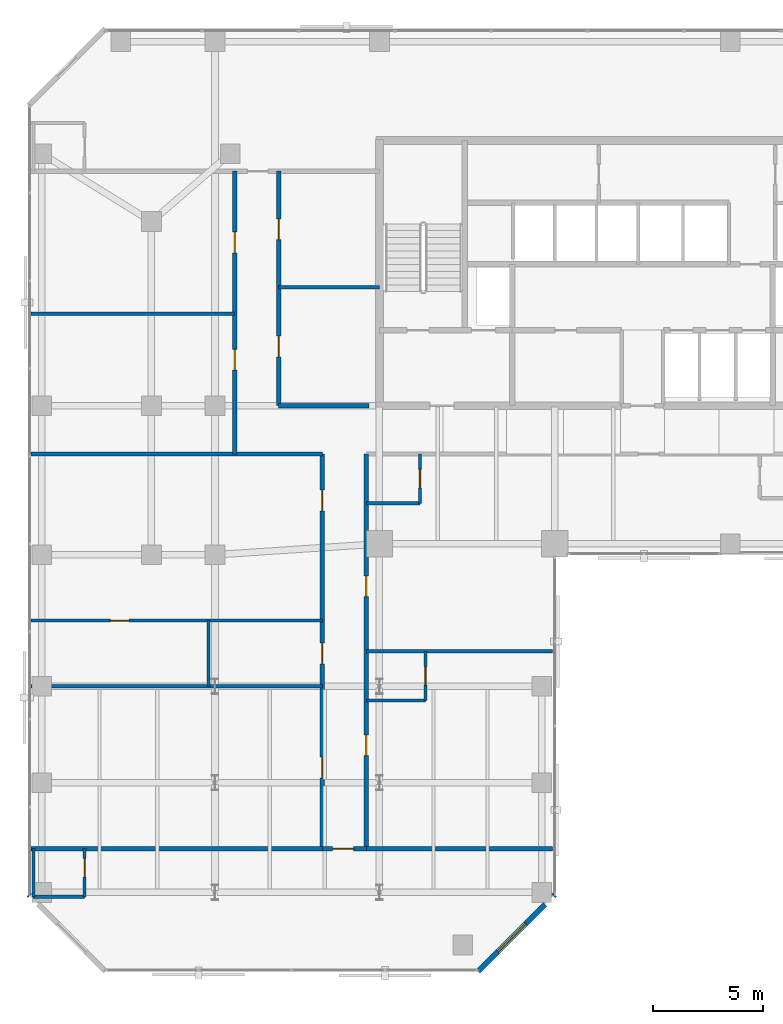
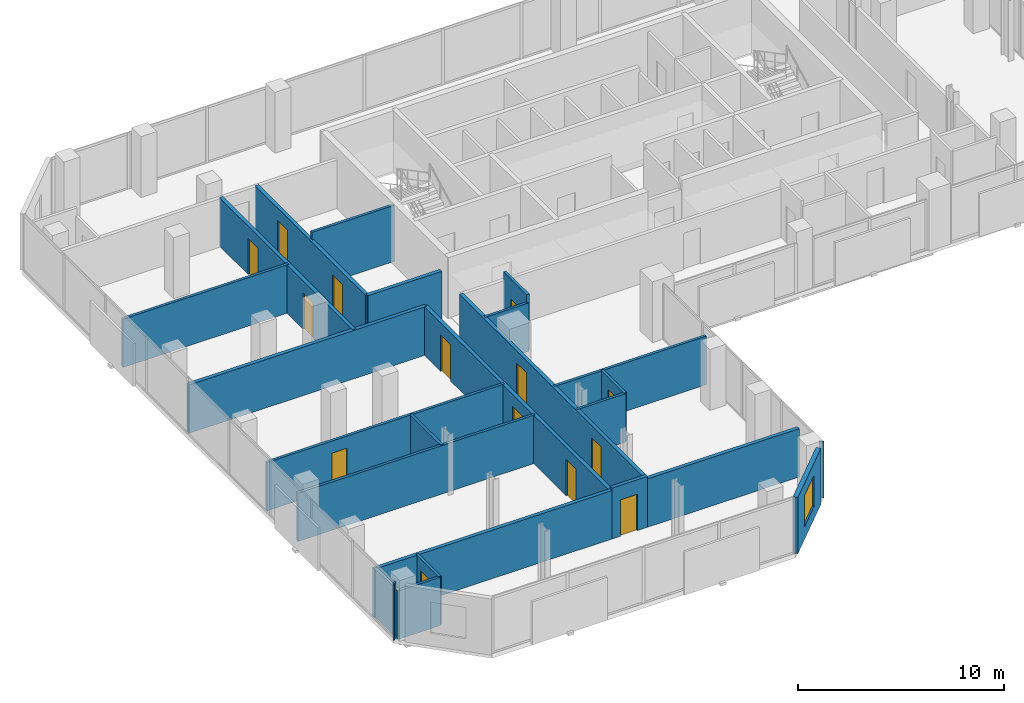
# One storey, part 28 of 33: 25 walls, 14 doors, 1 window, 15 openings.
"""IFC4 building model written with IfcOpenShell, lengths in metres."""

import ifcopenshell
import ifcopenshell.guid

model = None  # the IFC model being written
_history = None  # IfcOwnerHistory: only IFC2X3 demands one
_inside = {}  # id of a spatial element -> (the spatial element, [elements in it])
_under = {}  # id of a project, library or spatial element -> (it, [spatial elements below it])
_declared = {}  # id of a project -> (the project, [libraries it declares])
_typed = {}  # id of a type object -> (the type object, [elements of that type])
_made_of = {}  # id of a material, layer set ... -> (it, [elements and type objects made of it])


def new_model(schema):
    """Start an empty IFC model of exactly this schema.

    Asked for "IFC4X3", IfcOpenShell would pick the latest addendum, in which some entities
    have other attributes; the version numbers below select the first issue.
    IFC2X3 requires an IfcOwnerHistory on every rooted entity: one is made here for all.
    """
    global model, _history
    if schema == "IFC4X3":
        model = ifcopenshell.file(schema_version=(4, 3, 0, 0))
    else:
        model = ifcopenshell.file(schema=schema)
    _inside.clear()
    _under.clear()
    _declared.clear()
    _typed.clear()
    _made_of.clear()
    _history = None
    if model.schema == "IFC2X3":
        org = make("IfcOrganization", Name="unknown")
        user = make(
            "IfcPersonAndOrganization",
            ThePerson=make("IfcPerson", FamilyName="unknown"),
            TheOrganization=org,
        )
        app = make(
            "IfcApplication",
            ApplicationDeveloper=org,
            Version="unknown",
            ApplicationFullName="unknown",
            ApplicationIdentifier="unknown",
        )
        _history = make(
            "IfcOwnerHistory",
            OwningUser=user,
            OwningApplication=app,
            ChangeAction="ADDED",
            CreationDate=0,
        )
    return model


def make(cls, **values):
    """One entity of the class cls with the attributes given. An attribute that is None is left unset."""
    return model.create_entity(
        cls, **{name: value for name, value in values.items() if value is not None}
    )


def rooted(cls, **values):
    """An entity with a GlobalId (a new one), such as an element, a storey or a relation."""
    return make(cls, GlobalId=ifcopenshell.guid.new(), OwnerHistory=_history, **values)


def si_unit(unit_type, name, prefix=None):
    """IfcSIUnit, for example si_unit("LENGTHUNIT", "METRE", prefix="MILLI")."""
    return make("IfcSIUnit", UnitType=unit_type, Prefix=prefix, Name=name)


def assignment(units):
    """IfcUnitAssignment: the units of a project."""
    return None if units is None else make("IfcUnitAssignment", Units=units)


def point(xyz):
    """IfcCartesianPoint."""
    return None if xyz is None else make("IfcCartesianPoint", Coordinates=xyz)


def direction(xyz):
    """IfcDirection."""
    return None if xyz is None else make("IfcDirection", DirectionRatios=xyz)


def frame(location, z_axis=None, x_axis=None):
    """IfcAxis2Placement3D, a coordinate frame: its origin and axes. An axis left out is left unset."""
    return make(
        "IfcAxis2Placement3D",
        Location=point(location),
        Axis=direction(z_axis),
        RefDirection=direction(x_axis),
    )


def frame_2d(location, x_axis=None):
    """IfcAxis2Placement2D, a coordinate frame in the plane: its origin and x axis."""
    return make(
        "IfcAxis2Placement2D", Location=point(location), RefDirection=direction(x_axis)
    )


def origin():
    """The frame at (0, 0, 0) with its axes left unset."""
    return frame((0.0, 0.0, 0.0))


def place(relative_to, where):
    """IfcLocalPlacement: puts the frame where relative to a parent placement (None: the world)."""
    return make(
        "IfcLocalPlacement", PlacementRelTo=relative_to, RelativePlacement=where
    )


def context(
    kind, dimensions, precision=None, world=None, true_north=None, identifier=None
):
    """IfcGeometricRepresentationContext, for example the 3D "Model" context."""
    return make(
        "IfcGeometricRepresentationContext",
        ContextIdentifier=identifier,
        ContextType=kind,
        CoordinateSpaceDimension=dimensions,
        Precision=precision,
        WorldCoordinateSystem=world,
        TrueNorth=true_north,
    )


def subcontext(parent, identifier, kind, view, scale=None):
    """IfcGeometricRepresentationSubContext, for example "Body" below "Model"."""
    return make(
        "IfcGeometricRepresentationSubContext",
        ContextIdentifier=identifier,
        ContextType=kind,
        ParentContext=parent,
        TargetScale=scale,
        TargetView=view,
    )


def project(units=None, contexts=None):
    """IfcProject with its units and contexts."""
    return rooted(
        "IfcProject",
        Name="project",
        RepresentationContexts=contexts,
        UnitsInContext=assignment(units),
    )


def spatial(cls, under=None, at=None, **own):
    """A site, building, storey or space (cls), placed at a placement, below another one or the project."""
    s = rooted(cls, ObjectPlacement=at, **own)
    if under is not None:
        _under.setdefault(under.id(), (under, []))[1].append(s)
    return s


def profile(cls, at=None, kind="AREA", **sizes):
    """A parametric profile (cls). Its sizes go by their IFC names, for example OverallWidth=200.0."""
    return make(cls, ProfileType=kind, Position=at, **sizes)


def rectangle(**sizes):
    """IfcRectangleProfileDef."""
    return profile("IfcRectangleProfileDef", **sizes)


def extrude(swept, where, along, depth):
    """IfcExtrudedAreaSolid: the profile swept, set in the frame where, extruded along a direction by depth."""
    return make(
        "IfcExtrudedAreaSolid",
        SweptArea=swept,
        Position=where,
        ExtrudedDirection=direction(along),
        Depth=depth,
    )


def shape(context_of_items, identifier, shape_type, items):
    """IfcShapeRepresentation: the items that make up one representation, for example the "Body"."""
    return make(
        "IfcShapeRepresentation",
        ContextOfItems=context_of_items,
        RepresentationIdentifier=identifier,
        RepresentationType=shape_type,
        Items=items,
    )


def material(Name=None, Category=None):
    """IfcMaterial."""
    return make("IfcMaterial", Name=Name, Category=Category)


def layer(
    of_material, thickness, ventilated=None, Name=None, Category=None, Priority=None
):
    """IfcMaterialLayer: one layer of a wall or slab, of a material (None: an air gap)."""
    return make(
        "IfcMaterialLayer",
        Material=of_material,
        LayerThickness=thickness,
        IsVentilated=ventilated,
        Name=Name,
        Category=Category,
        Priority=Priority,
    )


def layer_set(layers, Name=None):
    """IfcMaterialLayerSet."""
    return make("IfcMaterialLayerSet", MaterialLayers=layers, LayerSetName=Name)


def made_of(thing, what):
    """Note that an element or type object is made of a material, layer set ...; save() writes the relation."""
    if what is not None:
        _made_of.setdefault(what.id(), (what, []))[1].append(thing)
    return thing


def type_object(cls, material=None, **own):
    """A type object (cls), such as IfcWallType, which elements share."""
    return made_of(rooted(cls, **own), material)


def element(
    cls,
    number,
    at=None,
    inside=None,
    cuts=None,
    type_object=None,
    material=None,
    context=None,
    identifier="Body",
    shape_type=None,
    held_by="IfcProductDefinitionShape",
    body=None,
    shapes=None,
    **own,
):
    """One element of the class cls, such as IfcWall. Its Tag is "e" and its number.

    at: its placement. inside: the storey or other place that contains it. cuts: it is an
    opening in that element (IfcRelVoidsElement). A single representation is given by context,
    identifier, shape_type and body (its items); several are given by shapes. held_by: the class
    of the entity that holds the representations. save() writes the other relations.
    """
    e = rooted(cls, Tag="e%d" % number, ObjectPlacement=at, **own)
    if body is not None:
        shapes = [shape(context, identifier, shape_type, body)]
    if shapes is not None:
        e.Representation = make(held_by, Representations=shapes)
    if inside is not None:
        _inside.setdefault(inside.id(), (inside, []))[1].append(e)
    if cuts is not None:
        rooted(
            "IfcRelVoidsElement", RelatingBuildingElement=cuts, RelatedOpeningElement=e
        )
    if type_object is not None:
        _typed.setdefault(type_object.id(), (type_object, []))[1].append(e)
    return made_of(e, material)


def fill(opening, filler):
    """IfcRelFillsElement: the door or window that sits in an opening."""
    return rooted(
        "IfcRelFillsElement",
        RelatingOpeningElement=opening,
        RelatedBuildingElement=filler,
    )


def aggregate(whole, parts):
    """IfcRelAggregates: a whole, such as a stair, and the parts it consists of."""
    return rooted("IfcRelAggregates", RelatingObject=whole, RelatedObjects=parts)


def save(model, path):
    """Write the relations noted so far, then the file.

    IfcRelAggregates (storeys below a building ...), IfcRelContainedInSpatialStructure (elements
    in a storey), IfcRelDefinesByType, IfcRelAssociatesMaterial and IfcRelDeclares: one each for
    every whole, place, type object, material and project.
    """
    for whole, parts in _under.values():
        aggregate(whole, parts)
    for where, things in _inside.values():
        rooted(
            "IfcRelContainedInSpatialStructure",
            RelatedElements=things,
            RelatingStructure=where,
        )
    for kind, things in _typed.values():
        rooted("IfcRelDefinesByType", RelatedObjects=things, RelatingType=kind)
    for what, things in _made_of.values():
        rooted("IfcRelAssociatesMaterial", RelatedObjects=things, RelatingMaterial=what)
    for by, libraries in _declared.values():
        rooted("IfcRelDeclares", RelatingContext=by, RelatedDefinitions=libraries)
    model.write(path)


model = new_model("IFC4")

# Units and contexts
model_context = context("Model", 3, precision=1e-05, world=origin(), true_north=direction((0.0, 1.0)))
body_context = subcontext(model_context, "Body", "Model", "MODEL_VIEW")
ifc_project = project(units=[si_unit("LENGTHUNIT", "METRE"), si_unit("AREAUNIT", "SQUARE_METRE"), si_unit("VOLUMEUNIT", "CUBIC_METRE"), si_unit("PLANEANGLEUNIT", "RADIAN"), si_unit("MASSUNIT", "GRAM", prefix="KILO")], contexts=[model_context])

# Site, building, storey
site_placement = place(None, origin())
site = spatial("IfcSite", under=ifc_project, at=site_placement, CompositionType="ELEMENT")
building_placement = place(site_placement, origin())
building = spatial("IfcBuilding", under=site, at=building_placement, Name="Catumbela Crestline Tower", CompositionType="ELEMENT")
storey_placement = place(building_placement, frame((0.0, 0.0, 100.8)))
storey = spatial("IfcBuildingStorey", under=building, at=storey_placement, Name="L25", CompositionType="ELEMENT", Elevation=100.8)

# Walls
ifc_material_1 = material(Name="Acoustic gypsum and mineral-wool partition")
ifc_layer_1 = layer(ifc_material_1, 0.2, Name="Acoustic gypsum and mineral-wool partition")
ifc_layer_set_1 = layer_set([ifc_layer_1], Name="Acoustic gypsum and mineral-wool partition")
wall_type_1 = type_object("IfcWallType", Name="WC-200", PredefinedType="PARTITIONING", material=ifc_layer_set_1)
wall_1_placement = place(storey_placement, frame((0.1, 28.6, 0.0), z_axis=(0.0, 0.0, 1.0), x_axis=(1.0, 0.0, 0.0)))
element("IfcWall", 1, at=wall_1_placement, inside=storey, type_object=wall_type_1, Name="L25 Interior Partition PW-L25-Z2CW-N1", PredefinedType="PARTITIONING", context=body_context, shape_type="SweptSolid", body=[
    extrude(rectangle(XDim=13.3, YDim=0.2, at=frame_2d((6.65, 0.0))), origin(), (0.0, 0.0, 1.0), 2.87),
])
wall_2_placement = place(storey_placement, frame((11.4, 30.8, 0.0), z_axis=(0.0, 0.0, 1.0), x_axis=(1.0, 0.0, 0.0)))
element("IfcWall", 2, at=wall_2_placement, inside=storey, type_object=wall_type_1, Name="L25 Interior Partition PW-L25-Z2CW-N3", PredefinedType="PARTITIONING", context=body_context, shape_type="SweptSolid", body=[
    extrude(rectangle(XDim=4.13, YDim=0.2, at=frame_2d((2.065, 0.0))), origin(), (0.0, 0.0, 1.0), 2.87),
])

# Wall, openings, doors
wall_3_placement = place(storey_placement, frame((13.4, 10.6, 0.0), z_axis=(0.0, 0.0, 1.0), x_axis=(0.0, 1.0, 0.0)))
wall_3 = element("IfcWall", 3, at=wall_3_placement, inside=storey, type_object=wall_type_1, Name="L25 Interior Partition PW-L25-STWC-ENT", PredefinedType="PARTITIONING", context=body_context, shape_type="SweptSolid", body=[
    extrude(rectangle(XDim=18.0, YDim=0.2, at=frame_2d((9.0, 0.0))), origin(), (0.0, 0.0, 1.0), 2.87),
])
opening_1_placement = place(wall_3_placement, frame((8.425, 0.0, 0.0)))
opening_1 = element("IfcOpeningElement", 4, at=opening_1_placement, cuts=wall_3, Name="Opening DF6-095", PredefinedType="OPENING", context=body_context, shape_type="SweptSolid", body=[
    extrude(rectangle(XDim=0.95, YDim=2.15, at=frame_2d((0.475, 1.075))), frame((0.0, 0.11, 0.0), z_axis=(0.0, -1.0, 0.0), x_axis=(1.0, 0.0, 0.0)), (0.0, 0.0, 1.0), 0.22),
])
opening_2_placement = place(wall_3_placement, frame((15.3987, 0.0, 0.0)))
opening_2 = element("IfcOpeningElement", 5, at=opening_2_placement, cuts=wall_3, Name="Opening DF6-095", PredefinedType="OPENING", context=body_context, shape_type="SweptSolid", body=[
    extrude(rectangle(XDim=0.95, YDim=2.15, at=frame_2d((0.475, 1.075))), frame((0.0, 0.11, 0.0), z_axis=(0.0, -1.0, 0.0), x_axis=(1.0, 0.0, 0.0)), (0.0, 0.0, 1.0), 0.22),
])
opening_3_placement = place(wall_3_placement, frame((3.225, 0.0, 0.0)))
opening_3 = element("IfcOpeningElement", 6, at=opening_3_placement, cuts=wall_3, Name="Opening DF6-095", PredefinedType="OPENING", context=body_context, shape_type="SweptSolid", body=[
    extrude(rectangle(XDim=0.95, YDim=2.15, at=frame_2d((0.475, 1.075))), frame((0.0, 0.11, 0.0), z_axis=(0.0, -1.0, 0.0), x_axis=(1.0, 0.0, 0.0)), (0.0, 0.0, 1.0), 0.22),
])
ifc_material_2 = material(Name="Aluminium alloy AW-6060-T66", Category="aluminium")
door_type_1 = type_object("IfcDoorType", Name="DF6-095", OperationType="NOTDEFINED", PredefinedType="DOOR", material=ifc_material_2)
door_1_placement = place(opening_1_placement, origin())
door_1 = element("IfcDoor", 7, at=door_1_placement, inside=storey, type_object=door_type_1, Name="L25 Interior Door DR-L25-STWC-ENT", OperationType="SINGLE_SWING_RIGHT", OverallHeight=2.15, OverallWidth=0.95, PredefinedType="DOOR", context=body_context, shape_type="SweptSolid", body=[
    extrude(rectangle(XDim=0.95, YDim=2.15, at=frame_2d((0.475, 1.075))), frame((0.0, 0.025, 0.0), z_axis=(0.0, -1.0, 0.0), x_axis=(1.0, 0.0, 0.0)), (0.0, 0.0, 1.0), 0.05),
])
fill(opening_1, door_1)
door_2_placement = place(opening_2_placement, origin())
door_2 = element("IfcDoor", 8, at=door_2_placement, inside=storey, type_object=door_type_1, Name="L25 Interior Door DR-L25-HKP-ENT", OperationType="SINGLE_SWING_RIGHT", OverallHeight=2.15, OverallWidth=0.95, PredefinedType="DOOR", context=body_context, shape_type="SweptSolid", body=[
    extrude(rectangle(XDim=0.95, YDim=2.15, at=frame_2d((0.475, 1.075))), frame((0.0, 0.025, 0.0), z_axis=(0.0, -1.0, 0.0), x_axis=(1.0, 0.0, 0.0)), (0.0, 0.0, 1.0), 0.05),
])
fill(opening_2, door_2)
door_3_placement = place(opening_3_placement, origin())
door_3 = element("IfcDoor", 9, at=door_3_placement, inside=storey, type_object=door_type_1, Name="L25 Interior Door DR-L25-WEXT-ENT", OperationType="SINGLE_SWING_LEFT", OverallHeight=2.15, OverallWidth=0.95, PredefinedType="DOOR", context=body_context, shape_type="SweptSolid", body=[
    extrude(rectangle(XDim=0.95, YDim=2.15, at=frame_2d((0.475, 1.075))), frame((0.0, 0.025, 0.0), z_axis=(0.0, -1.0, 0.0), x_axis=(1.0, 0.0, 0.0)), (0.0, 0.0, 1.0), 0.05),
])
fill(opening_3, door_3)

wall_4_placement = place(storey_placement, frame((9.4, 28.6, 0.0), z_axis=(0.0, 0.0, 1.0), x_axis=(0.0, 1.0, 0.0)))
wall_4 = element("IfcWall", 10, at=wall_4_placement, inside=storey, type_object=wall_type_1, Name="L25 Interior Partition PW-L25-Z2OF1-ENT", PredefinedType="PARTITIONING", context=body_context, shape_type="SweptSolid", body=[
    extrude(rectangle(XDim=12.9, YDim=0.2, at=frame_2d((6.45, 0.0))), origin(), (0.0, 0.0, 1.0), 2.87),
])
opening_4_placement = place(wall_4_placement, frame((3.825, 0.0, 0.0)))
opening_4 = element("IfcOpeningElement", 11, at=opening_4_placement, cuts=wall_4, Name="Opening DF6-095", PredefinedType="OPENING", context=body_context, shape_type="SweptSolid", body=[
    extrude(rectangle(XDim=0.95, YDim=2.15, at=frame_2d((0.475, 1.075))), frame((0.0, 0.11, 0.0), z_axis=(0.0, -1.0, 0.0), x_axis=(1.0, 0.0, 0.0)), (0.0, 0.0, 1.0), 0.22),
])
opening_5_placement = place(wall_4_placement, frame((9.175, 0.0, 0.0)))
opening_5 = element("IfcOpeningElement", 12, at=opening_5_placement, cuts=wall_4, Name="Opening DF6-095", PredefinedType="OPENING", context=body_context, shape_type="SweptSolid", body=[
    extrude(rectangle(XDim=0.95, YDim=2.15, at=frame_2d((0.475, 1.075))), frame((0.0, 0.11, 0.0), z_axis=(0.0, -1.0, 0.0), x_axis=(1.0, 0.0, 0.0)), (0.0, 0.0, 1.0), 0.22),
])
door_4_placement = place(opening_4_placement, origin())
door_4 = element("IfcDoor", 13, at=door_4_placement, inside=storey, type_object=door_type_1, Name="L25 Interior Door DR-L25-Z2OF1-ENT", OperationType="SINGLE_SWING_LEFT", OverallHeight=2.15, OverallWidth=0.95, PredefinedType="DOOR", context=body_context, shape_type="SweptSolid", body=[
    extrude(rectangle(XDim=0.95, YDim=2.15, at=frame_2d((0.475, 1.075))), frame((0.0, 0.025, 0.0), z_axis=(0.0, -1.0, 0.0), x_axis=(1.0, 0.0, 0.0)), (0.0, 0.0, 1.0), 0.05),
])
fill(opening_4, door_4)
door_5_placement = place(opening_5_placement, origin())
door_5 = element("IfcDoor", 14, at=door_5_placement, inside=storey, type_object=door_type_1, Name="L25 Interior Door DR-L25-Z2OF2-ENT", OperationType="SINGLE_SWING_RIGHT", OverallHeight=2.15, OverallWidth=0.95, PredefinedType="DOOR", context=body_context, shape_type="SweptSolid", body=[
    extrude(rectangle(XDim=0.95, YDim=2.15, at=frame_2d((0.475, 1.075))), frame((0.0, 0.025, 0.0), z_axis=(0.0, -1.0, 0.0), x_axis=(1.0, 0.0, 0.0)), (0.0, 0.0, 1.0), 0.05),
])
fill(opening_5, door_5)

wall_5_placement = place(storey_placement, frame((11.4, 30.8, 0.0), z_axis=(0.0, 0.0, 1.0), x_axis=(0.0, 1.0, 0.0)))
wall_5 = element("IfcWall", 15, at=wall_5_placement, inside=storey, type_object=wall_type_1, Name="L25 Interior Partition PW-L25-Z2MT1-ENT", PredefinedType="PARTITIONING", context=body_context, shape_type="SweptSolid", body=[
    extrude(rectangle(XDim=10.7, YDim=0.2, at=frame_2d((5.35, 0.0))), origin(), (0.0, 0.0, 1.0), 2.87),
])
opening_6_placement = place(wall_5_placement, frame((2.225, 0.0, 0.0)))
opening_6 = element("IfcOpeningElement", 16, at=opening_6_placement, cuts=wall_5, Name="Opening DF6-095", PredefinedType="OPENING", context=body_context, shape_type="SweptSolid", body=[
    extrude(rectangle(XDim=0.95, YDim=2.15, at=frame_2d((0.475, 1.075))), frame((0.0, 0.11, 0.0), z_axis=(0.0, -1.0, 0.0), x_axis=(1.0, 0.0, 0.0)), (0.0, 0.0, 1.0), 0.22),
])
opening_7_placement = place(wall_5_placement, frame((7.575, 0.0, 0.0)))
opening_7 = element("IfcOpeningElement", 17, at=opening_7_placement, cuts=wall_5, Name="Opening DF6-095", PredefinedType="OPENING", context=body_context, shape_type="SweptSolid", body=[
    extrude(rectangle(XDim=0.95, YDim=2.15, at=frame_2d((0.475, 1.075))), frame((0.0, 0.11, 0.0), z_axis=(0.0, -1.0, 0.0), x_axis=(1.0, 0.0, 0.0)), (0.0, 0.0, 1.0), 0.22),
])
door_6_placement = place(opening_6_placement, origin())
door_6 = element("IfcDoor", 18, at=door_6_placement, inside=storey, type_object=door_type_1, Name="L25 Interior Door DR-L25-Z2MT1-ENT", OperationType="SINGLE_SWING_LEFT", OverallHeight=2.15, OverallWidth=0.95, PredefinedType="DOOR", context=body_context, shape_type="SweptSolid", body=[
    extrude(rectangle(XDim=0.95, YDim=2.15, at=frame_2d((0.475, 1.075))), frame((0.0, 0.025, 0.0), z_axis=(0.0, -1.0, 0.0), x_axis=(1.0, 0.0, 0.0)), (0.0, 0.0, 1.0), 0.05),
])
fill(opening_6, door_6)
door_7_placement = place(opening_7_placement, origin())
door_7 = element("IfcDoor", 19, at=door_7_placement, inside=storey, type_object=door_type_1, Name="L25 Interior Door DR-L25-Z2MT2-ENT", OperationType="SINGLE_SWING_RIGHT", OverallHeight=2.15, OverallWidth=0.95, PredefinedType="DOOR", context=body_context, shape_type="SweptSolid", body=[
    extrude(rectangle(XDim=0.95, YDim=2.15, at=frame_2d((0.475, 1.075))), frame((0.0, 0.025, 0.0), z_axis=(0.0, -1.0, 0.0), x_axis=(1.0, 0.0, 0.0)), (0.0, 0.0, 1.0), 0.05),
])
fill(opening_7, door_7)

# Wall, opening, door
wall_6_placement = place(storey_placement, frame((13.4, 10.6, 0.0), z_axis=(0.0, 0.0, 1.0), x_axis=(1.0, 0.0, 0.0)))
wall_6 = element("IfcWall", 20, at=wall_6_placement, inside=storey, type_object=wall_type_1, Name="L25 Interior Partition PW-L25-STIP-ENT", PredefinedType="PARTITIONING", context=body_context, shape_type="SweptSolid", body=[
    extrude(rectangle(XDim=2.0, YDim=0.2, at=frame_2d((1.0, 0.0))), origin(), (0.0, 0.0, 1.0), 3.01),
])
opening_8_placement = place(wall_6_placement, frame((0.468, 0.0, 0.0)))
opening_8 = element("IfcOpeningElement", 21, at=opening_8_placement, cuts=wall_6, Name="Opening DF6-095", PredefinedType="OPENING", context=body_context, shape_type="SweptSolid", body=[
    extrude(rectangle(XDim=0.95, YDim=2.15, at=frame_2d((0.475, 1.075))), frame((0.0, 0.11, 0.0), z_axis=(0.0, -1.0, 0.0), x_axis=(1.0, 0.0, 0.0)), (0.0, 0.0, 1.0), 0.22),
])
door_8_placement = place(opening_8_placement, origin())
door_8 = element("IfcDoor", 22, at=door_8_placement, inside=storey, type_object=door_type_1, Name="L25 Interior Door DR-L25-STIP-ENT", OperationType="SINGLE_SWING_LEFT", OverallHeight=2.15, OverallWidth=0.95, PredefinedType="DOOR", context=body_context, shape_type="SweptSolid", body=[
    extrude(rectangle(XDim=0.95, YDim=2.15, at=frame_2d((0.475, 1.075))), frame((0.0, 0.025, 0.0), z_axis=(0.0, -1.0, 0.0), x_axis=(1.0, 0.0, 0.0)), (0.0, 0.0, 1.0), 0.05),
])
fill(opening_8, door_8)

# Wall, openings, doors
wall_7_placement = place(storey_placement, frame((15.4, 10.6, 0.0), z_axis=(0.0, 0.0, 1.0), x_axis=(0.0, 1.0, 0.0)))
wall_7 = element("IfcWall", 23, at=wall_7_placement, inside=storey, type_object=wall_type_1, Name="L25 Interior Partition PW-L25-SW1-ENT", PredefinedType="PARTITIONING", context=body_context, shape_type="SweptSolid", body=[
    extrude(rectangle(XDim=18.0, YDim=0.2, at=frame_2d((9.0, 0.0))), origin(), (0.0, 0.0, 1.0), 2.87),
])
opening_9_placement = place(wall_7_placement, frame((4.24, 0.0, 0.0)))
opening_9 = element("IfcOpeningElement", 24, at=opening_9_placement, cuts=wall_7, Name="Opening DF6-095", PredefinedType="OPENING", context=body_context, shape_type="SweptSolid", body=[
    extrude(rectangle(XDim=0.95, YDim=2.15, at=frame_2d((0.475, 1.075))), frame((0.0, 0.11, 0.0), z_axis=(0.0, -1.0, 0.0), x_axis=(1.0, 0.0, 0.0)), (0.0, 0.0, 1.0), 0.22),
])
opening_10_placement = place(wall_7_placement, frame((11.4941, 0.0, 0.0)))
opening_10 = element("IfcOpeningElement", 25, at=opening_10_placement, cuts=wall_7, Name="Opening DF6-095", PredefinedType="OPENING", context=body_context, shape_type="SweptSolid", body=[
    extrude(rectangle(XDim=0.95, YDim=2.15, at=frame_2d((0.475, 1.075))), frame((0.0, 0.11, 0.0), z_axis=(0.0, -1.0, 0.0), x_axis=(1.0, 0.0, 0.0)), (0.0, 0.0, 1.0), 0.22),
])
door_9_placement = place(opening_9_placement, origin())
door_9 = element("IfcDoor", 26, at=door_9_placement, inside=storey, type_object=door_type_1, Name="L25 Interior Door DR-L25-SW1-ENT", OperationType="SINGLE_SWING_RIGHT", OverallHeight=2.15, OverallWidth=0.95, PredefinedType="DOOR", context=body_context, shape_type="SweptSolid", body=[
    extrude(rectangle(XDim=0.95, YDim=2.15, at=frame_2d((0.475, 1.075))), frame((0.0, 0.025, 0.0), z_axis=(0.0, -1.0, 0.0), x_axis=(1.0, 0.0, 0.0)), (0.0, 0.0, 1.0), 0.05),
])
fill(opening_9, door_9)
door_10_placement = place(opening_10_placement, origin())
door_10 = element("IfcDoor", 27, at=door_10_placement, inside=storey, type_object=door_type_1, Name="L25 Interior Door DR-L25-SW2-ENT", OperationType="SINGLE_SWING_LEFT", OverallHeight=2.15, OverallWidth=0.95, PredefinedType="DOOR", context=body_context, shape_type="SweptSolid", body=[
    extrude(rectangle(XDim=0.95, YDim=2.15, at=frame_2d((0.475, 1.075))), frame((0.0, 0.025, 0.0), z_axis=(0.0, -1.0, 0.0), x_axis=(1.0, 0.0, 0.0)), (0.0, 0.0, 1.0), 0.05),
])
fill(opening_10, door_10)

# Wall, opening, window
ifc_material_3 = material(Name="Angolan grey-ochre granite", Category="masonry")
ifc_layer_2 = layer(ifc_material_3, 0.25, Name="Angolan grey-ochre granite")
ifc_layer_set_2 = layer_set([ifc_layer_2], Name="Angolan grey-ochre granite")
wall_type_2 = type_object("IfcWallType", Name="WE-250", PredefinedType="STANDARD", material=ifc_layer_set_2)
wall_8_placement = place(storey_placement, frame((20.5, 5.0, 0.0), z_axis=(0.0, 0.0, 1.0), x_axis=(0.707106781187, 0.707106781187, 0.0)))
wall_8 = element("IfcWall", 28, at=wall_8_placement, inside=storey, type_object=wall_type_2, Name="L25 Granite Punched Window Wall 1-1", PredefinedType="STANDARD", context=body_context, shape_type="SweptSolid", body=[
    extrude(rectangle(XDim=4.3298, YDim=0.25, at=frame_2d((2.1649, 0.0))), origin(), (0.0, 0.0, 1.0), 3.33),
])
opening_11_placement = place(wall_8_placement, frame((1.2649, 0.0, 0.75)))
opening_11 = element("IfcOpeningElement", 29, at=opening_11_placement, cuts=wall_8, Name="Opening WN-01", PredefinedType="OPENING", context=body_context, shape_type="SweptSolid", body=[
    extrude(rectangle(XDim=1.8, YDim=1.85, at=frame_2d((0.9, 0.925))), frame((0.0, 0.135, 0.0), z_axis=(0.0, -1.0, 0.0), x_axis=(1.0, 0.0, 0.0)), (0.0, 0.0, 1.0), 0.27),
])
ifc_material_4 = material(Name="Low-E laminated solar-control double glazing", Category="glass")
window_type = type_object("IfcWindowType", Name="WF-1800", PartitioningType="SINGLE_PANEL", PredefinedType="WINDOW", material=ifc_material_4)
window_placement = place(opening_11_placement, origin())
window = element("IfcWindow", 30, at=window_placement, inside=storey, type_object=window_type, Name="L25 Facade Vision Window 145", OverallHeight=1.85, OverallWidth=1.8, PartitioningType="SINGLE_PANEL", PredefinedType="WINDOW", context=body_context, shape_type="SweptSolid", body=[
    extrude(rectangle(XDim=1.8, YDim=1.85, at=frame_2d((0.9, 0.925))), frame((0.0, 0.03, 0.0), z_axis=(0.0, -1.0, 0.0), x_axis=(1.0, 0.0, 0.0)), (0.0, 0.0, 1.0), 0.06),
])
fill(opening_11, window)

# Walls
for number, where, z_axis, x_axis, name in (
    (31, (23.9384, 8.4384, 0.0), (0.0, 0.0, 1.0), (0.707106781187, 0.707106781187, 0.0), "L25 Granite Punched Window Wall 1-2"),
    (32, (0.0, 8.5, 0.0), (0.0, 0.0, 1.0), (0.707106781187, -0.707106781187, 0.0), "L25 Granite Punched Window Wall 10-1"),
):
    element("IfcWall", number, at=place(storey_placement, frame(where, z_axis=z_axis, x_axis=x_axis)), inside=storey, type_object=wall_type_2, Name=name, PredefinedType="STANDARD", context=body_context, shape_type="SweptSolid", body=[
        extrude(rectangle(XDim=0.0871, YDim=0.25, at=frame_2d((0.0436, 0.0))), origin(), (0.0, 0.0, 1.0), 3.33),
    ])
ifc_layer_3 = layer(ifc_material_1, 0.15, Name="Acoustic gypsum and mineral-wool partition")
ifc_layer_set_3 = layer_set([ifc_layer_3], Name="Acoustic gypsum and mineral-wool partition")
wall_type_3 = type_object("IfcWallType", Name="WP-150", PredefinedType="PARTITIONING", material=ifc_layer_set_3)
wall_9_placement = place(storey_placement, frame((0.1, 18.0, 0.0), z_axis=(0.0, 0.0, 1.0), x_axis=(1.0, 0.0, 0.0)))
element("IfcWall", 33, at=wall_9_placement, inside=storey, type_object=wall_type_3, Name="L25 Interior Partition PW-L25-Z2W-1", PredefinedType="PARTITIONING", context=body_context, shape_type="SweptSolid", body=[
    extrude(rectangle(XDim=13.3, YDim=0.15, at=frame_2d((6.65, 0.0))), origin(), (0.0, 0.0, 1.0), 2.87),
])

# Wall, opening, door
wall_10_placement = place(storey_placement, frame((0.1, 21.0, 0.0), z_axis=(0.0, 0.0, 1.0), x_axis=(1.0, 0.0, 0.0)))
wall_10 = element("IfcWall", 34, at=wall_10_placement, inside=storey, type_object=wall_type_3, Name="L25 Interior Partition PW-L25-Z2W-2", PredefinedType="PARTITIONING", context=body_context, shape_type="SweptSolid", body=[
    extrude(rectangle(XDim=13.3, YDim=0.15, at=frame_2d((6.65, 0.0))), origin(), (0.0, 0.0, 1.0), 2.87),
])
opening_12_placement = place(wall_10_placement, frame((3.625, 0.0, 0.0)))
opening_12 = element("IfcOpeningElement", 35, at=opening_12_placement, cuts=wall_10, Name="Opening DI-085", PredefinedType="OPENING", context=body_context, shape_type="SweptSolid", body=[
    extrude(rectangle(XDim=0.85, YDim=2.15, at=frame_2d((0.425, 1.075))), frame((0.0, 0.085, 0.0), z_axis=(0.0, -1.0, 0.0), x_axis=(1.0, 0.0, 0.0)), (0.0, 0.0, 1.0), 0.17),
])
door_type_2 = type_object("IfcDoorType", Name="DI-085", OperationType="NOTDEFINED", PredefinedType="DOOR", material=ifc_material_2)
door_11_placement = place(opening_12_placement, origin())
door_11 = element("IfcDoor", 36, at=door_11_placement, inside=storey, type_object=door_type_2, Name="L25 Interior Door DR-L25-STSTO", OperationType="SINGLE_SWING_LEFT", OverallHeight=2.15, OverallWidth=0.85, PredefinedType="DOOR", context=body_context, shape_type="SweptSolid", body=[
    extrude(rectangle(XDim=0.85, YDim=2.15, at=frame_2d((0.425, 1.075))), frame((0.0, 0.025, 0.0), z_axis=(0.0, -1.0, 0.0), x_axis=(1.0, 0.0, 0.0)), (0.0, 0.0, 1.0), 0.05),
])
fill(opening_12, door_11)

# Walls
wall_11_placement = place(storey_placement, frame((8.2, 18.0, 0.0), z_axis=(0.0, 0.0, 1.0), x_axis=(0.0, 1.0, 0.0)))
element("IfcWall", 37, at=wall_11_placement, inside=storey, type_object=wall_type_3, Name="L25 Interior Partition PW-L25-Z2W-WCX", PredefinedType="PARTITIONING", context=body_context, shape_type="SweptSolid", body=[
    extrude(rectangle(XDim=3.0, YDim=0.15, at=frame_2d((1.5, 0.0))), origin(), (0.0, 0.0, 1.0), 2.87),
])
wall_12_placement = place(storey_placement, frame((0.1, 35.0, 0.0), z_axis=(0.0, 0.0, 1.0), x_axis=(1.0, 0.0, 0.0)))
element("IfcWall", 38, at=wall_12_placement, inside=storey, type_object=wall_type_3, Name="L25 Interior Partition PW-L25-Z2G1-1", PredefinedType="PARTITIONING", context=body_context, shape_type="SweptSolid", body=[
    extrude(rectangle(XDim=9.3, YDim=0.15, at=frame_2d((4.65, 0.0))), origin(), (0.0, 0.0, 1.0), 2.87),
])
wall_13_placement = place(storey_placement, frame((11.4, 36.2, 0.0), z_axis=(0.0, 0.0, 1.0), x_axis=(1.0, 0.0, 0.0)))
element("IfcWall", 39, at=wall_13_placement, inside=storey, type_object=wall_type_3, Name="L25 Interior Partition PW-L25-Z2G1-2", PredefinedType="PARTITIONING", context=body_context, shape_type="SweptSolid", body=[
    extrude(rectangle(XDim=4.6, YDim=0.15, at=frame_2d((2.3, 0.0))), origin(), (0.0, 0.0, 1.0), 3.33),
])
wall_14_placement = place(storey_placement, frame((0.2, 8.4, 0.0), z_axis=(0.0, 0.0, 1.0), x_axis=(1.0, 0.0, 0.0)))
element("IfcWall", 40, at=wall_14_placement, inside=storey, type_object=wall_type_3, Name="L25 Interior Partition PW-L25-STIP-BHW", PredefinedType="PARTITIONING", context=body_context, shape_type="SweptSolid", body=[
    extrude(rectangle(XDim=2.35, YDim=0.15, at=frame_2d((1.175, 0.0))), origin(), (0.0, 0.0, 1.0), 2.87),
])

# Wall, opening, door
wall_15_placement = place(storey_placement, frame((2.55, 8.4, 0.0), z_axis=(0.0, 0.0, 1.0), x_axis=(0.0, 1.0, 0.0)))
wall_15 = element("IfcWall", 41, at=wall_15_placement, inside=storey, type_object=wall_type_3, Name="L25 Interior Partition PW-L25-STIP-BEW", PredefinedType="PARTITIONING", context=body_context, shape_type="SweptSolid", body=[
    extrude(rectangle(XDim=2.2, YDim=0.15, at=frame_2d((1.1, 0.0))), origin(), (0.0, 0.0, 1.0), 2.87),
])
opening_13_placement = place(wall_15_placement, frame((0.8925, 0.0, 0.0)))
opening_13 = element("IfcOpeningElement", 42, at=opening_13_placement, cuts=wall_15, Name="Opening DI-085", PredefinedType="OPENING", context=body_context, shape_type="SweptSolid", body=[
    extrude(rectangle(XDim=0.85, YDim=2.15, at=frame_2d((0.425, 1.075))), frame((0.0, 0.085, 0.0), z_axis=(0.0, -1.0, 0.0), x_axis=(1.0, 0.0, 0.0)), (0.0, 0.0, 1.0), 0.17),
])
door_12_placement = place(opening_13_placement, origin())
door_12 = element("IfcDoor", 43, at=door_12_placement, inside=storey, type_object=door_type_2, Name="L25 Interior Door DR-L25-STIP-BTH", OperationType="SINGLE_SWING_LEFT", OverallHeight=2.15, OverallWidth=0.85, PredefinedType="DOOR", context=body_context, shape_type="SweptSolid", body=[
    extrude(rectangle(XDim=0.85, YDim=2.15, at=frame_2d((0.425, 1.075))), frame((0.0, 0.025, 0.0), z_axis=(0.0, -1.0, 0.0), x_axis=(1.0, 0.0, 0.0)), (0.0, 0.0, 1.0), 0.05),
])
fill(opening_13, door_12)

# Walls
wall_16_placement = place(storey_placement, frame((0.22, 8.38, 0.0), z_axis=(0.0, 0.0, 1.0), x_axis=(0.0, 1.0, 0.0)))
element("IfcWall", 44, at=wall_16_placement, inside=storey, type_object=wall_type_3, Name="L25 Interior Partition PW-L25-STIP-BCL-3", PredefinedType="PARTITIONING", context=body_context, shape_type="SweptSolid", body=[
    extrude(rectangle(XDim=2.22, YDim=0.15, at=frame_2d((1.11, 0.0))), origin(), (0.0, 0.0, 1.0), 2.87),
])
wall_17_placement = place(storey_placement, frame((15.4, 17.35, 0.0), z_axis=(0.0, 0.0, 1.0), x_axis=(1.0, 0.0, 0.0)))
element("IfcWall", 45, at=wall_17_placement, inside=storey, type_object=wall_type_3, Name="L25 Interior Partition PW-L25-SW1-BSW", PredefinedType="PARTITIONING", context=body_context, shape_type="SweptSolid", body=[
    extrude(rectangle(XDim=2.7, YDim=0.15, at=frame_2d((1.35, 0.0))), origin(), (0.0, 0.0, 1.0), 2.87),
])

# Wall, opening, door
wall_18_placement = place(storey_placement, frame((18.1, 17.35, 0.0), z_axis=(0.0, 0.0, 1.0), x_axis=(0.0, 1.0, 0.0)))
wall_18 = element("IfcWall", 46, at=wall_18_placement, inside=storey, type_object=wall_type_3, Name="L25 Interior Partition PW-L25-SW1-BEW", PredefinedType="PARTITIONING", context=body_context, shape_type="SweptSolid", body=[
    extrude(rectangle(XDim=2.25, YDim=0.15, at=frame_2d((1.125, 0.0))), origin(), (0.0, 0.0, 1.0), 2.87),
])
opening_14_placement = place(wall_18_placement, frame((0.7, 0.0, 0.0)))
opening_14 = element("IfcOpeningElement", 47, at=opening_14_placement, cuts=wall_18, Name="Opening DI-085", PredefinedType="OPENING", context=body_context, shape_type="SweptSolid", body=[
    extrude(rectangle(XDim=0.85, YDim=2.15, at=frame_2d((0.425, 1.075))), frame((0.0, 0.085, 0.0), z_axis=(0.0, -1.0, 0.0), x_axis=(1.0, 0.0, 0.0)), (0.0, 0.0, 1.0), 0.17),
])
door_13_placement = place(opening_14_placement, origin())
door_13 = element("IfcDoor", 48, at=door_13_placement, inside=storey, type_object=door_type_2, Name="L25 Interior Door DR-L25-SW1-BTH", OperationType="SINGLE_SWING_LEFT", OverallHeight=2.15, OverallWidth=0.85, PredefinedType="DOOR", context=body_context, shape_type="SweptSolid", body=[
    extrude(rectangle(XDim=0.85, YDim=2.15, at=frame_2d((0.425, 1.075))), frame((0.0, 0.025, 0.0), z_axis=(0.0, -1.0, 0.0), x_axis=(1.0, 0.0, 0.0)), (0.0, 0.0, 1.0), 0.05),
])
fill(opening_14, door_13)

# Walls
wall_19_placement = place(storey_placement, frame((15.4, 19.6, 0.0), z_axis=(0.0, 0.0, 1.0), x_axis=(1.0, 0.0, 0.0)))
element("IfcWall", 49, at=wall_19_placement, inside=storey, type_object=wall_type_3, Name="L25 Interior Partition PW-L25-SW1-BCL-1", PredefinedType="PARTITIONING", context=body_context, shape_type="SweptSolid", body=[
    extrude(rectangle(XDim=8.5, YDim=0.15, at=frame_2d((4.25, 0.0))), origin(), (0.0, 0.0, 1.0), 2.87),
])
wall_20_placement = place(storey_placement, frame((15.4, 26.35, 0.0), z_axis=(0.0, 0.0, 1.0), x_axis=(1.0, 0.0, 0.0)))
element("IfcWall", 50, at=wall_20_placement, inside=storey, type_object=wall_type_3, Name="L25 Interior Partition PW-L25-SW2-BSW", PredefinedType="PARTITIONING", context=body_context, shape_type="SweptSolid", body=[
    extrude(rectangle(XDim=2.45, YDim=0.15, at=frame_2d((1.225, 0.0))), origin(), (0.0, 0.0, 1.0), 2.87),
])

# Wall, opening, door
wall_21_placement = place(storey_placement, frame((17.85, 26.35, 0.0), z_axis=(0.0, 0.0, 1.0), x_axis=(0.0, 1.0, 0.0)))
wall_21 = element("IfcWall", 51, at=wall_21_placement, inside=storey, type_object=wall_type_3, Name="L25 Interior Partition PW-L25-SW2-BEW", PredefinedType="PARTITIONING", context=body_context, shape_type="SweptSolid", body=[
    extrude(rectangle(XDim=2.25, YDim=0.15, at=frame_2d((1.125, 0.0))), origin(), (0.0, 0.0, 1.0), 3.33),
])
opening_15_placement = place(wall_21_placement, frame((0.7, 0.0, 0.0)))
opening_15 = element("IfcOpeningElement", 52, at=opening_15_placement, cuts=wall_21, Name="Opening DI-085", PredefinedType="OPENING", context=body_context, shape_type="SweptSolid", body=[
    extrude(rectangle(XDim=0.85, YDim=2.15, at=frame_2d((0.425, 1.075))), frame((0.0, 0.085, 0.0), z_axis=(0.0, -1.0, 0.0), x_axis=(1.0, 0.0, 0.0)), (0.0, 0.0, 1.0), 0.17),
])
door_14_placement = place(opening_15_placement, origin())
door_14 = element("IfcDoor", 53, at=door_14_placement, inside=storey, type_object=door_type_2, Name="L25 Interior Door DR-L25-SW2-BTH", OperationType="SINGLE_SWING_LEFT", OverallHeight=2.15, OverallWidth=0.85, PredefinedType="DOOR", context=body_context, shape_type="SweptSolid", body=[
    extrude(rectangle(XDim=0.85, YDim=2.15, at=frame_2d((0.425, 1.075))), frame((0.0, 0.025, 0.0), z_axis=(0.0, -1.0, 0.0), x_axis=(1.0, 0.0, 0.0)), (0.0, 0.0, 1.0), 0.05),
])
fill(opening_15, door_14)

# Walls
ifc_layer_4 = layer(ifc_material_1, 0.2, Name="Acoustic gypsum and mineral-wool partition")
ifc_layer_set_4 = layer_set([ifc_layer_4], Name="Acoustic gypsum and mineral-wool partition")
wall_type_4 = type_object("IfcWallType", Name="WY-200", PredefinedType="PARTITIONING", material=ifc_layer_set_4)
wall_22_placement = place(storey_placement, frame((0.1, 10.6, 0.0), z_axis=(0.0, 0.0, 1.0), x_axis=(1.0, 0.0, 0.0)))
element("IfcWall", 54, at=wall_22_placement, inside=storey, type_object=wall_type_4, Name="L25 Interior Partition PW-L25-STIP-WL", PredefinedType="PARTITIONING", context=body_context, shape_type="SweptSolid", body=[
    extrude(rectangle(XDim=13.3, YDim=0.2, at=frame_2d((6.65, 0.0))), origin(), (0.0, 0.0, 1.0), 2.87),
])
wall_23_placement = place(storey_placement, frame((15.4, 10.6, 0.0), z_axis=(0.0, 0.0, 1.0), x_axis=(1.0, 0.0, 0.0)))
element("IfcWall", 55, at=wall_23_placement, inside=storey, type_object=wall_type_4, Name="L25 Interior Partition PW-L25-STIP-WR", PredefinedType="PARTITIONING", context=body_context, shape_type="SweptSolid", body=[
    extrude(rectangle(XDim=8.5, YDim=0.2, at=frame_2d((4.25, 0.0))), origin(), (0.0, 0.0, 1.0), 2.87),
])

save(model, "model.ifc")
